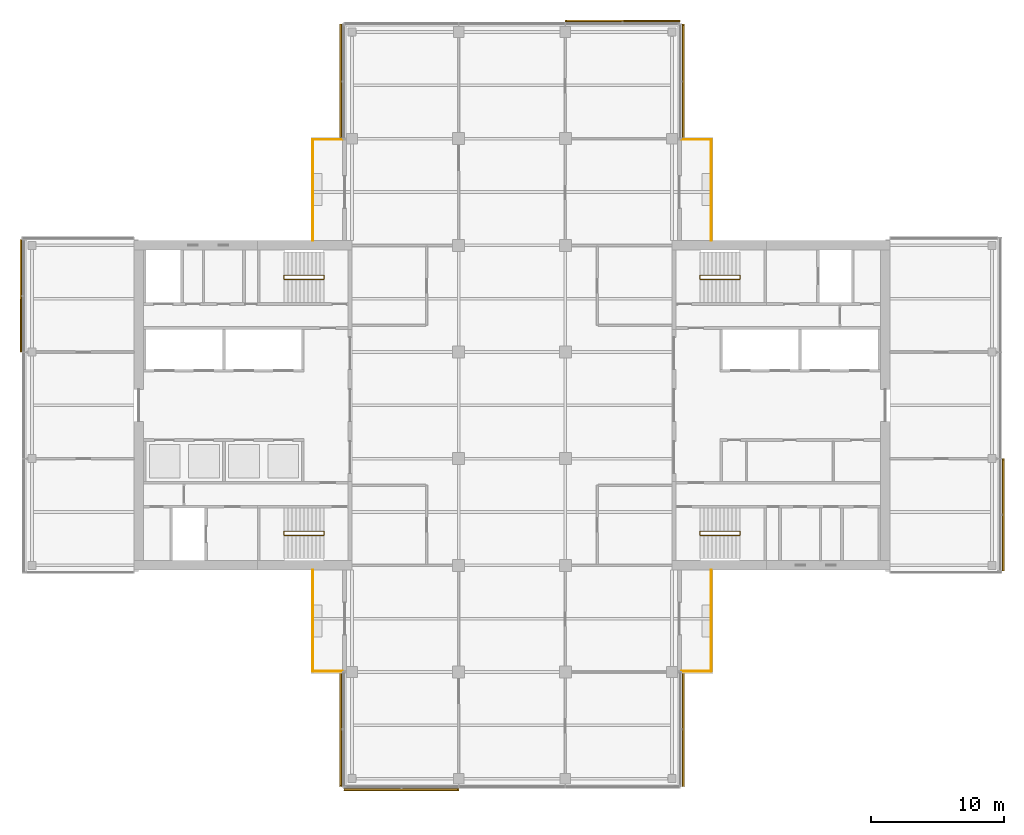
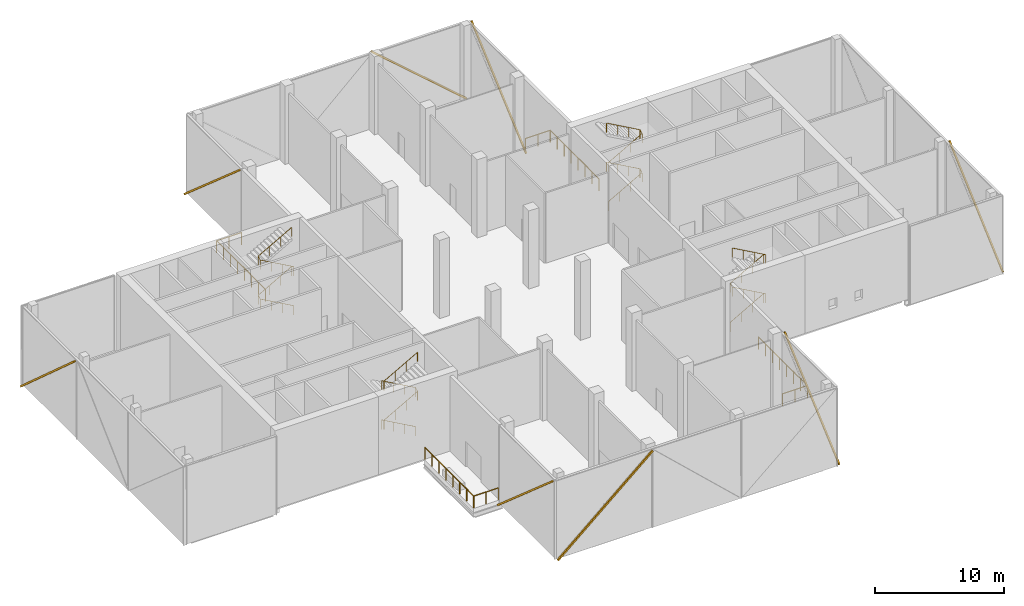
# One storey, part 19 of 20: 8 railings, 8 shading devices, 8 elements without a shape of their own.
"""IFC4 building model written with IfcOpenShell, lengths in metres."""

from ifc_helpers import new_model, si_unit, direction, frame, origin, origin_2d, place, context, subcontext, project, spatial, rectangle, circle, extrude, material, material_profile, profile_set, type_object, element, aggregate, save


model = new_model("IFC4")

# Units and contexts
model_context = context("Model", 3, precision=1e-05, world=origin(), true_north=direction((0.0, 1.0)))
body_context = subcontext(model_context, "Body", "Model", "MODEL_VIEW")
ifc_project = project(units=[si_unit("LENGTHUNIT", "METRE"), si_unit("AREAUNIT", "SQUARE_METRE"), si_unit("VOLUMEUNIT", "CUBIC_METRE"), si_unit("PLANEANGLEUNIT", "RADIAN"), si_unit("MASSUNIT", "GRAM", prefix="KILO")], contexts=[model_context])

# Site, building, storey
site_placement = place(None, origin())
site = spatial("IfcSite", under=ifc_project, at=site_placement, CompositionType="ELEMENT")
building_placement = place(site_placement, origin())
building = spatial("IfcBuilding", under=site, at=building_placement, Name="Crosswind Convention Tower", CompositionType="ELEMENT")
storey_placement = place(building_placement, frame((0.0, 0.0, 171.5)))
storey = spatial("IfcBuildingStorey", under=building, at=storey_placement, Name="L36", CompositionType="ELEMENT", Elevation=171.5)

# Railings
ifc_material_1 = material(Name="Steel and laminated glass balustrade", Category="steel")
railing_type_1 = type_object("IfcRailingType", Name="BALCONY BALUSTRADE 1150", PredefinedType="BALUSTRADE", material=ifc_material_1)
railing_1_placement = place(storey_placement, frame((139.93994140625, 112.35009765625, 0.0)))
element("IfcRailing", 1, at=railing_1_placement, inside=storey, type_object=railing_type_1, Name="R11 winter garden balustrade L36 N-E.1-1", PredefinedType="BALUSTRADE", context=body_context, shape_type="SweptSolid", body=[
    extrude(circle(Radius=0.02392578125, at=origin_2d()), frame((0.0, 0.0, 1.1259765625), z_axis=(0.0, 1.0, 0.0), x_axis=(-1.0, 0.0, 0.0)), (0.0, 0.0, 1.0), 7.58984375),
    extrude(circle(Radius=0.02392578125, at=origin_2d()), frame((0.0, 7.58984375, 1.1259765625), z_axis=(-1.0, 0.0, 0.0), x_axis=(0.0, -1.0, 0.0)), (0.0, 0.0, 1.0), 2.218994140625),
    extrude(circle(Radius=0.02099609375, at=origin_2d()), origin(), (0.0, 0.0, 1.0), 1.101806640625),
    extrude(circle(Radius=0.02099609375, at=origin_2d()), frame((0.0, 1.084228515625, 0.0)), (0.0, 0.0, 1.0), 1.101806640625),
    extrude(circle(Radius=0.02099609375, at=origin_2d()), frame((0.0, 2.16845703125, 0.0)), (0.0, 0.0, 1.0), 1.101806640625),
    extrude(circle(Radius=0.02099609375, at=origin_2d()), frame((0.0, 3.252685546875, 0.0)), (0.0, 0.0, 1.0), 1.101806640625),
    extrude(circle(Radius=0.02099609375, at=origin_2d()), frame((0.0, 4.337158203125, 0.0)), (0.0, 0.0, 1.0), 1.101806640625),
    extrude(circle(Radius=0.02099609375, at=origin_2d()), frame((0.0, 5.42138671875, 0.0)), (0.0, 0.0, 1.0), 1.101806640625),
    extrude(circle(Radius=0.02099609375, at=origin_2d()), frame((0.0, 6.505615234375, 0.0)), (0.0, 0.0, 1.0), 1.101806640625),
    extrude(circle(Radius=0.02099609375, at=origin_2d()), frame((0.0, 7.58984375, 0.0)), (0.0, 0.0, 1.0), 1.101806640625),
    extrude(circle(Radius=0.02099609375, at=origin_2d()), frame((-1.109375, 7.58984375, 0.0)), (0.0, 0.0, 1.0), 1.101806640625),
    extrude(circle(Radius=0.02099609375, at=origin_2d()), frame((-2.218994140625, 7.58984375, 0.0)), (0.0, 0.0, 1.0), 1.101806640625),
])
railing_2_placement = place(storey_placement, frame((110.06005859375, 112.35009765625, 0.0)))
element("IfcRailing", 2, at=railing_2_placement, inside=storey, type_object=railing_type_1, Name="R11 winter garden balustrade L36 N-W.1-2", PredefinedType="BALUSTRADE", context=body_context, shape_type="SweptSolid", body=[
    extrude(circle(Radius=0.02392578125, at=origin_2d()), frame((0.0, 0.0, 1.1259765625), z_axis=(0.0, 1.0, 0.0), x_axis=(-1.0, 0.0, 0.0)), (0.0, 0.0, 1.0), 7.58984375),
    extrude(circle(Radius=0.02392578125, at=origin_2d()), frame((0.0, 7.58984375, 1.1259765625), z_axis=(1.0, 0.0, 0.0), x_axis=(0.0, 1.0, 0.0)), (0.0, 0.0, 1.0), 2.218994140625),
    extrude(circle(Radius=0.02099609375, at=origin_2d()), origin(), (0.0, 0.0, 1.0), 1.101806640625),
    extrude(circle(Radius=0.02099609375, at=origin_2d()), frame((0.0, 1.084228515625, 0.0)), (0.0, 0.0, 1.0), 1.101806640625),
    extrude(circle(Radius=0.02099609375, at=origin_2d()), frame((0.0, 2.16845703125, 0.0)), (0.0, 0.0, 1.0), 1.101806640625),
    extrude(circle(Radius=0.02099609375, at=origin_2d()), frame((0.0, 3.252685546875, 0.0)), (0.0, 0.0, 1.0), 1.101806640625),
    extrude(circle(Radius=0.02099609375, at=origin_2d()), frame((0.0, 4.337158203125, 0.0)), (0.0, 0.0, 1.0), 1.101806640625),
    extrude(circle(Radius=0.02099609375, at=origin_2d()), frame((0.0, 5.42138671875, 0.0)), (0.0, 0.0, 1.0), 1.101806640625),
    extrude(circle(Radius=0.02099609375, at=origin_2d()), frame((0.0, 6.505615234375, 0.0)), (0.0, 0.0, 1.0), 1.101806640625),
    extrude(circle(Radius=0.02099609375, at=origin_2d()), frame((0.0, 7.58984375, 0.0)), (0.0, 0.0, 1.0), 1.101806640625),
    extrude(circle(Radius=0.02099609375, at=origin_2d()), frame((1.109375, 7.58984375, 0.0)), (0.0, 0.0, 1.0), 1.101806640625),
    extrude(circle(Radius=0.02099609375, at=origin_2d()), frame((2.218994140625, 7.58984375, 0.0)), (0.0, 0.0, 1.0), 1.101806640625),
])
railing_3_placement = place(storey_placement, frame((110.06005859375, 87.64990234375, 0.0)))
element("IfcRailing", 3, at=railing_3_placement, inside=storey, type_object=railing_type_1, Name="R11 winter garden balustrade L36 S-W.1-1", PredefinedType="BALUSTRADE", context=body_context, shape_type="SweptSolid", body=[
    extrude(circle(Radius=0.02392578125, at=origin_2d()), frame((0.0, 0.0, 1.1259765625), z_axis=(0.0, -1.0, 0.0), x_axis=(1.0, 0.0, 0.0)), (0.0, 0.0, 1.0), 7.58984375),
    extrude(circle(Radius=0.02392578125, at=origin_2d()), frame((0.0, -7.58984375, 1.1259765625), z_axis=(1.0, 0.0, 0.0), x_axis=(0.0, 1.0, 0.0)), (0.0, 0.0, 1.0), 2.218994140625),
    extrude(circle(Radius=0.02099609375, at=origin_2d()), origin(), (0.0, 0.0, 1.0), 1.101806640625),
    extrude(circle(Radius=0.02099609375, at=origin_2d()), frame((0.0, -1.084228515625, 0.0)), (0.0, 0.0, 1.0), 1.101806640625),
    extrude(circle(Radius=0.02099609375, at=origin_2d()), frame((0.0, -2.16845703125, 0.0)), (0.0, 0.0, 1.0), 1.101806640625),
    extrude(circle(Radius=0.02099609375, at=origin_2d()), frame((0.0, -3.252685546875, 0.0)), (0.0, 0.0, 1.0), 1.101806640625),
    extrude(circle(Radius=0.02099609375, at=origin_2d()), frame((0.0, -4.337158203125, 0.0)), (0.0, 0.0, 1.0), 1.101806640625),
    extrude(circle(Radius=0.02099609375, at=origin_2d()), frame((0.0, -5.42138671875, 0.0)), (0.0, 0.0, 1.0), 1.101806640625),
    extrude(circle(Radius=0.02099609375, at=origin_2d()), frame((0.0, -6.505615234375, 0.0)), (0.0, 0.0, 1.0), 1.101806640625),
    extrude(circle(Radius=0.02099609375, at=origin_2d()), frame((0.0, -7.58984375, 0.0)), (0.0, 0.0, 1.0), 1.101806640625),
    extrude(circle(Radius=0.02099609375, at=origin_2d()), frame((1.109375, -7.58984375, 0.0)), (0.0, 0.0, 1.0), 1.101806640625),
    extrude(circle(Radius=0.02099609375, at=origin_2d()), frame((2.218994140625, -7.58984375, 0.0)), (0.0, 0.0, 1.0), 1.101806640625),
])
railing_4_placement = place(storey_placement, frame((139.93994140625, 87.64990234375, 0.0)))
element("IfcRailing", 4, at=railing_4_placement, inside=storey, type_object=railing_type_1, Name="R11 winter garden balustrade L36 S-E.1-2", PredefinedType="BALUSTRADE", context=body_context, shape_type="SweptSolid", body=[
    extrude(circle(Radius=0.02392578125, at=origin_2d()), frame((0.0, 0.0, 1.1259765625), z_axis=(0.0, -1.0, 0.0), x_axis=(1.0, 0.0, 0.0)), (0.0, 0.0, 1.0), 7.58984375),
    extrude(circle(Radius=0.02392578125, at=origin_2d()), frame((0.0, -7.58984375, 1.1259765625), z_axis=(-1.0, 0.0, 0.0), x_axis=(0.0, -1.0, 0.0)), (0.0, 0.0, 1.0), 2.218994140625),
    extrude(circle(Radius=0.02099609375, at=origin_2d()), origin(), (0.0, 0.0, 1.0), 1.101806640625),
    extrude(circle(Radius=0.02099609375, at=origin_2d()), frame((0.0, -1.084228515625, 0.0)), (0.0, 0.0, 1.0), 1.101806640625),
    extrude(circle(Radius=0.02099609375, at=origin_2d()), frame((0.0, -2.16845703125, 0.0)), (0.0, 0.0, 1.0), 1.101806640625),
    extrude(circle(Radius=0.02099609375, at=origin_2d()), frame((0.0, -3.252685546875, 0.0)), (0.0, 0.0, 1.0), 1.101806640625),
    extrude(circle(Radius=0.02099609375, at=origin_2d()), frame((0.0, -4.337158203125, 0.0)), (0.0, 0.0, 1.0), 1.101806640625),
    extrude(circle(Radius=0.02099609375, at=origin_2d()), frame((0.0, -5.42138671875, 0.0)), (0.0, 0.0, 1.0), 1.101806640625),
    extrude(circle(Radius=0.02099609375, at=origin_2d()), frame((0.0, -6.505615234375, 0.0)), (0.0, 0.0, 1.0), 1.101806640625),
    extrude(circle(Radius=0.02099609375, at=origin_2d()), frame((0.0, -7.58984375, 0.0)), (0.0, 0.0, 1.0), 1.101806640625),
    extrude(circle(Radius=0.02099609375, at=origin_2d()), frame((-1.109375, -7.58984375, 0.0)), (0.0, 0.0, 1.0), 1.101806640625),
    extrude(circle(Radius=0.02099609375, at=origin_2d()), frame((-2.218994140625, -7.58984375, 0.0)), (0.0, 0.0, 1.0), 1.101806640625),
])
ifc_material_2 = material(Name="Stainless steel", Category="steel")
railing_type_2 = type_object("IfcRailingType", Name="Stair handrail 900", PredefinedType="HANDRAIL", material=ifc_material_2)
railing_5_placement = place(storey_placement, frame((139.10009765625, 109.43994140625, 0.168212890625)))
element("IfcRailing", 5, at=railing_5_placement, inside=storey, type_object=railing_type_2, Name="Stair ST1 handrail L36", PredefinedType="HANDRAIL", context=body_context, shape_type="SweptSolid", body=[
    extrude(circle(Radius=0.02392578125, at=origin_2d()), frame((0.0, 0.0, 0.8759765625), z_axis=(0.872272294576, 0.0, 0.489020494575), x_axis=(0.0, 1.0, 0.0)), (0.0, 0.0, 1.0), 3.439208984375),
    extrude(circle(Radius=0.02392578125, at=origin_2d()), frame((3.0, 0.0, 2.5576171875), z_axis=(0.0, 0.885474334664, 0.464688285468), x_axis=(-1.0, 0.0, 0.0)), (0.0, 0.0, 1.0), 0.361572265625),
    extrude(circle(Radius=0.02392578125, at=origin_2d()), frame((3.0, 0.320068359375, 2.7255859375), z_axis=(-0.872272294576, 0.0, 0.489020494575), x_axis=(0.0, -1.0, 0.0)), (0.0, 0.0, 1.0), 3.439208984375),
    extrude(circle(Radius=0.02392578125, at=origin_2d()), frame((0.0, 0.320068359375, 4.40771484375), z_axis=(0.0, -0.885196349292, 0.465217608438), x_axis=(1.0, 0.0, 0.0)), (0.0, 0.0, 1.0), 0.361572265625),
    extrude(circle(Radius=0.02392578125, at=origin_2d()), frame((0.0, 0.0, 4.57568359375), z_axis=(0.872272294576, 0.0, 0.489020494575), x_axis=(0.0, 1.0, 0.0)), (0.0, 0.0, 1.0), 3.439208984375),
    extrude(circle(Radius=0.02392578125, at=origin_2d()), frame((3.0, 0.0, 6.2578125), z_axis=(0.0, 0.885196349292, 0.465217608438), x_axis=(-1.0, 0.0, 0.0)), (0.0, 0.0, 1.0), 0.361572265625),
    extrude(circle(Radius=0.02392578125, at=origin_2d()), frame((3.0, 0.320068359375, 6.42578125), z_axis=(-0.872302573547, 0.0, 0.488966481656), x_axis=(0.0, -1.0, 0.0)), (0.0, 0.0, 1.0), 3.439208984375),
    extrude(circle(Radius=0.02099609375, at=origin_2d()), origin(), (0.0, 0.0, 1.0), 0.851806640625),
    extrude(circle(Radius=0.02099609375, at=origin_2d()), frame((1.0, 0.0, 0.560546875)), (0.0, 0.0, 1.0), 0.851806640625),
    extrude(circle(Radius=0.02099609375, at=origin_2d()), frame((2.0, 0.0, 1.121337890625)), (0.0, 0.0, 1.0), 0.851806640625),
    extrude(circle(Radius=0.02099609375, at=origin_2d()), frame((3.0, 0.0, 1.681884765625)), (0.0, 0.0, 1.0), 0.851806640625),
    extrude(circle(Radius=0.02099609375, at=origin_2d()), frame((3.0, 0.320068359375, 1.849853515625)), (0.0, 0.0, 1.0), 0.851806640625),
    extrude(circle(Radius=0.02099609375, at=origin_2d()), frame((2.0, 0.320068359375, 2.410400390625)), (0.0, 0.0, 1.0), 0.851806640625),
    extrude(circle(Radius=0.02099609375, at=origin_2d()), frame((1.0, 0.320068359375, 2.97119140625)), (0.0, 0.0, 1.0), 0.851806640625),
    extrude(circle(Radius=0.02099609375, at=origin_2d()), frame((0.0, 0.320068359375, 3.53173828125)), (0.0, 0.0, 1.0), 0.851806640625),
    extrude(circle(Radius=0.02099609375, at=origin_2d()), frame((0.0, 0.0, 3.699951171875)), (0.0, 0.0, 1.0), 0.851806640625),
    extrude(circle(Radius=0.02099609375, at=origin_2d()), frame((1.0, 0.0, 4.260498046875)), (0.0, 0.0, 1.0), 0.851806640625),
    extrude(circle(Radius=0.02099609375, at=origin_2d()), frame((2.0, 0.0, 4.8212890625)), (0.0, 0.0, 1.0), 0.851806640625),
    extrude(circle(Radius=0.02099609375, at=origin_2d()), frame((3.0, 0.0, 5.3818359375)), (0.0, 0.0, 1.0), 0.851806640625),
    extrude(circle(Radius=0.02099609375, at=origin_2d()), frame((3.0, 0.320068359375, 5.550048828125)), (0.0, 0.0, 1.0), 0.851806640625),
    extrude(circle(Radius=0.02099609375, at=origin_2d()), frame((2.0, 0.320068359375, 6.110595703125)), (0.0, 0.0, 1.0), 0.851806640625),
    extrude(circle(Radius=0.02099609375, at=origin_2d()), frame((1.0, 0.320068359375, 6.671142578125)), (0.0, 0.0, 1.0), 0.851806640625),
    extrude(circle(Radius=0.02099609375, at=origin_2d()), frame((0.0, 0.320068359375, 7.231689453125)), (0.0, 0.0, 1.0), 0.851806640625),
])
railing_6_placement = place(storey_placement, frame((139.10009765625, 90.56005859375, 0.168212890625)))
element("IfcRailing", 6, at=railing_6_placement, inside=storey, type_object=railing_type_2, Name="Stair ST2 handrail L36", PredefinedType="HANDRAIL", context=body_context, shape_type="SweptSolid", body=[
    extrude(circle(Radius=0.02392578125, at=origin_2d()), frame((0.0, 0.0, 0.8759765625), z_axis=(0.872272294576, 0.0, 0.489020494575), x_axis=(0.0, 1.0, 0.0)), (0.0, 0.0, 1.0), 3.439208984375),
    extrude(circle(Radius=0.02392578125, at=origin_2d()), frame((3.0, 0.0, 2.5576171875), z_axis=(0.0, -0.885474334664, 0.464688285468), x_axis=(1.0, 0.0, 0.0)), (0.0, 0.0, 1.0), 0.361572265625),
    extrude(circle(Radius=0.02392578125, at=origin_2d()), frame((3.0, -0.320068359375, 2.7255859375), z_axis=(-0.872272294576, 0.0, 0.489020494575), x_axis=(0.0, -1.0, 0.0)), (0.0, 0.0, 1.0), 3.439208984375),
    extrude(circle(Radius=0.02392578125, at=origin_2d()), frame((0.0, -0.320068359375, 4.40771484375), z_axis=(0.0, 0.885196349292, 0.465217608438), x_axis=(-1.0, 0.0, 0.0)), (0.0, 0.0, 1.0), 0.361572265625),
    extrude(circle(Radius=0.02392578125, at=origin_2d()), frame((0.0, 0.0, 4.57568359375), z_axis=(0.872272294576, 0.0, 0.489020494575), x_axis=(0.0, 1.0, 0.0)), (0.0, 0.0, 1.0), 3.439208984375),
    extrude(circle(Radius=0.02392578125, at=origin_2d()), frame((3.0, 0.0, 6.2578125), z_axis=(0.0, -0.885196349292, 0.465217608438), x_axis=(1.0, 0.0, 0.0)), (0.0, 0.0, 1.0), 0.361572265625),
    extrude(circle(Radius=0.02392578125, at=origin_2d()), frame((3.0, -0.320068359375, 6.42578125), z_axis=(-0.872302573547, 0.0, 0.488966481656), x_axis=(0.0, -1.0, 0.0)), (0.0, 0.0, 1.0), 3.439208984375),
    extrude(circle(Radius=0.02099609375, at=origin_2d()), origin(), (0.0, 0.0, 1.0), 0.851806640625),
    extrude(circle(Radius=0.02099609375, at=origin_2d()), frame((1.0, 0.0, 0.560546875)), (0.0, 0.0, 1.0), 0.851806640625),
    extrude(circle(Radius=0.02099609375, at=origin_2d()), frame((2.0, 0.0, 1.121337890625)), (0.0, 0.0, 1.0), 0.851806640625),
    extrude(circle(Radius=0.02099609375, at=origin_2d()), frame((3.0, 0.0, 1.681884765625)), (0.0, 0.0, 1.0), 0.851806640625),
    extrude(circle(Radius=0.02099609375, at=origin_2d()), frame((3.0, -0.320068359375, 1.849853515625)), (0.0, 0.0, 1.0), 0.851806640625),
    extrude(circle(Radius=0.02099609375, at=origin_2d()), frame((2.0, -0.320068359375, 2.410400390625)), (0.0, 0.0, 1.0), 0.851806640625),
    extrude(circle(Radius=0.02099609375, at=origin_2d()), frame((1.0, -0.320068359375, 2.97119140625)), (0.0, 0.0, 1.0), 0.851806640625),
    extrude(circle(Radius=0.02099609375, at=origin_2d()), frame((0.0, -0.320068359375, 3.53173828125)), (0.0, 0.0, 1.0), 0.851806640625),
    extrude(circle(Radius=0.02099609375, at=origin_2d()), frame((0.0, 0.0, 3.699951171875)), (0.0, 0.0, 1.0), 0.851806640625),
    extrude(circle(Radius=0.02099609375, at=origin_2d()), frame((1.0, 0.0, 4.260498046875)), (0.0, 0.0, 1.0), 0.851806640625),
    extrude(circle(Radius=0.02099609375, at=origin_2d()), frame((2.0, 0.0, 4.8212890625)), (0.0, 0.0, 1.0), 0.851806640625),
    extrude(circle(Radius=0.02099609375, at=origin_2d()), frame((3.0, 0.0, 5.3818359375)), (0.0, 0.0, 1.0), 0.851806640625),
    extrude(circle(Radius=0.02099609375, at=origin_2d()), frame((3.0, -0.320068359375, 5.550048828125)), (0.0, 0.0, 1.0), 0.851806640625),
    extrude(circle(Radius=0.02099609375, at=origin_2d()), frame((2.0, -0.320068359375, 6.110595703125)), (0.0, 0.0, 1.0), 0.851806640625),
    extrude(circle(Radius=0.02099609375, at=origin_2d()), frame((1.0, -0.320068359375, 6.671142578125)), (0.0, 0.0, 1.0), 0.851806640625),
    extrude(circle(Radius=0.02099609375, at=origin_2d()), frame((0.0, -0.320068359375, 7.231689453125)), (0.0, 0.0, 1.0), 0.851806640625),
])
railing_7_placement = place(storey_placement, frame((110.89990234375, 90.56005859375, 0.168212890625)))
element("IfcRailing", 7, at=railing_7_placement, inside=storey, type_object=railing_type_2, Name="Stair ST3 handrail L36", PredefinedType="HANDRAIL", context=body_context, shape_type="SweptSolid", body=[
    extrude(circle(Radius=0.02392578125, at=origin_2d()), frame((0.0, 0.0, 0.8759765625), z_axis=(-0.872272294576, 0.0, 0.489020494575), x_axis=(0.0, -1.0, 0.0)), (0.0, 0.0, 1.0), 3.439208984375),
    extrude(circle(Radius=0.02392578125, at=origin_2d()), frame((-3.0, 0.0, 2.5576171875), z_axis=(0.0, -0.885474334664, 0.464688285468), x_axis=(1.0, 0.0, 0.0)), (0.0, 0.0, 1.0), 0.361572265625),
    extrude(circle(Radius=0.02392578125, at=origin_2d()), frame((-3.0, -0.320068359375, 2.7255859375), z_axis=(0.872272294576, 0.0, 0.489020494575), x_axis=(0.0, 1.0, 0.0)), (0.0, 0.0, 1.0), 3.439208984375),
    extrude(circle(Radius=0.02392578125, at=origin_2d()), frame((0.0, -0.320068359375, 4.40771484375), z_axis=(0.0, 0.885196349292, 0.465217608438), x_axis=(-1.0, 0.0, 0.0)), (0.0, 0.0, 1.0), 0.361572265625),
    extrude(circle(Radius=0.02392578125, at=origin_2d()), frame((0.0, 0.0, 4.57568359375), z_axis=(-0.872272294576, 0.0, 0.489020494575), x_axis=(0.0, -1.0, 0.0)), (0.0, 0.0, 1.0), 3.439208984375),
    extrude(circle(Radius=0.02392578125, at=origin_2d()), frame((-3.0, 0.0, 6.2578125), z_axis=(0.0, -0.885196349292, 0.465217608438), x_axis=(1.0, 0.0, 0.0)), (0.0, 0.0, 1.0), 0.361572265625),
    extrude(circle(Radius=0.02392578125, at=origin_2d()), frame((-3.0, -0.320068359375, 6.42578125), z_axis=(0.872302573547, 0.0, 0.488966481656), x_axis=(0.0, 1.0, 0.0)), (0.0, 0.0, 1.0), 3.439208984375),
    extrude(circle(Radius=0.02099609375, at=origin_2d()), origin(), (0.0, 0.0, 1.0), 0.851806640625),
    extrude(circle(Radius=0.02099609375, at=origin_2d()), frame((-1.0, 0.0, 0.560546875)), (0.0, 0.0, 1.0), 0.851806640625),
    extrude(circle(Radius=0.02099609375, at=origin_2d()), frame((-2.0, 0.0, 1.121337890625)), (0.0, 0.0, 1.0), 0.851806640625),
    extrude(circle(Radius=0.02099609375, at=origin_2d()), frame((-3.0, 0.0, 1.681884765625)), (0.0, 0.0, 1.0), 0.851806640625),
    extrude(circle(Radius=0.02099609375, at=origin_2d()), frame((-3.0, -0.320068359375, 1.849853515625)), (0.0, 0.0, 1.0), 0.851806640625),
    extrude(circle(Radius=0.02099609375, at=origin_2d()), frame((-2.0, -0.320068359375, 2.410400390625)), (0.0, 0.0, 1.0), 0.851806640625),
    extrude(circle(Radius=0.02099609375, at=origin_2d()), frame((-1.0, -0.320068359375, 2.97119140625)), (0.0, 0.0, 1.0), 0.851806640625),
    extrude(circle(Radius=0.02099609375, at=origin_2d()), frame((0.0, -0.320068359375, 3.53173828125)), (0.0, 0.0, 1.0), 0.851806640625),
    extrude(circle(Radius=0.02099609375, at=origin_2d()), frame((0.0, 0.0, 3.699951171875)), (0.0, 0.0, 1.0), 0.851806640625),
    extrude(circle(Radius=0.02099609375, at=origin_2d()), frame((-1.0, 0.0, 4.260498046875)), (0.0, 0.0, 1.0), 0.851806640625),
    extrude(circle(Radius=0.02099609375, at=origin_2d()), frame((-2.0, 0.0, 4.8212890625)), (0.0, 0.0, 1.0), 0.851806640625),
    extrude(circle(Radius=0.02099609375, at=origin_2d()), frame((-3.0, 0.0, 5.3818359375)), (0.0, 0.0, 1.0), 0.851806640625),
    extrude(circle(Radius=0.02099609375, at=origin_2d()), frame((-3.0, -0.320068359375, 5.550048828125)), (0.0, 0.0, 1.0), 0.851806640625),
    extrude(circle(Radius=0.02099609375, at=origin_2d()), frame((-2.0, -0.320068359375, 6.110595703125)), (0.0, 0.0, 1.0), 0.851806640625),
    extrude(circle(Radius=0.02099609375, at=origin_2d()), frame((-1.0, -0.320068359375, 6.671142578125)), (0.0, 0.0, 1.0), 0.851806640625),
    extrude(circle(Radius=0.02099609375, at=origin_2d()), frame((0.0, -0.320068359375, 7.231689453125)), (0.0, 0.0, 1.0), 0.851806640625),
])
railing_8_placement = place(storey_placement, frame((110.89990234375, 109.43994140625, 0.168212890625)))
element("IfcRailing", 8, at=railing_8_placement, inside=storey, type_object=railing_type_2, Name="Stair ST4 handrail L36", PredefinedType="HANDRAIL", context=body_context, shape_type="SweptSolid", body=[
    extrude(circle(Radius=0.02392578125, at=origin_2d()), frame((0.0, 0.0, 0.8759765625), z_axis=(-0.872272294576, 0.0, 0.489020494575), x_axis=(0.0, -1.0, 0.0)), (0.0, 0.0, 1.0), 3.439208984375),
    extrude(circle(Radius=0.02392578125, at=origin_2d()), frame((-3.0, 0.0, 2.5576171875), z_axis=(0.0, 0.885474334664, 0.464688285468), x_axis=(-1.0, 0.0, 0.0)), (0.0, 0.0, 1.0), 0.361572265625),
    extrude(circle(Radius=0.02392578125, at=origin_2d()), frame((-3.0, 0.320068359375, 2.7255859375), z_axis=(0.872272294576, 0.0, 0.489020494575), x_axis=(0.0, 1.0, 0.0)), (0.0, 0.0, 1.0), 3.439208984375),
    extrude(circle(Radius=0.02392578125, at=origin_2d()), frame((0.0, 0.320068359375, 4.40771484375), z_axis=(0.0, -0.885196349292, 0.465217608438), x_axis=(1.0, 0.0, 0.0)), (0.0, 0.0, 1.0), 0.361572265625),
    extrude(circle(Radius=0.02392578125, at=origin_2d()), frame((0.0, 0.0, 4.57568359375), z_axis=(-0.872272294576, 0.0, 0.489020494575), x_axis=(0.0, -1.0, 0.0)), (0.0, 0.0, 1.0), 3.439208984375),
    extrude(circle(Radius=0.02392578125, at=origin_2d()), frame((-3.0, 0.0, 6.2578125), z_axis=(0.0, 0.885196349292, 0.465217608438), x_axis=(-1.0, 0.0, 0.0)), (0.0, 0.0, 1.0), 0.361572265625),
    extrude(circle(Radius=0.02392578125, at=origin_2d()), frame((-3.0, 0.320068359375, 6.42578125), z_axis=(0.872302573547, 0.0, 0.488966481656), x_axis=(0.0, 1.0, 0.0)), (0.0, 0.0, 1.0), 3.439208984375),
    extrude(circle(Radius=0.02099609375, at=origin_2d()), origin(), (0.0, 0.0, 1.0), 0.851806640625),
    extrude(circle(Radius=0.02099609375, at=origin_2d()), frame((-1.0, 0.0, 0.560546875)), (0.0, 0.0, 1.0), 0.851806640625),
    extrude(circle(Radius=0.02099609375, at=origin_2d()), frame((-2.0, 0.0, 1.121337890625)), (0.0, 0.0, 1.0), 0.851806640625),
    extrude(circle(Radius=0.02099609375, at=origin_2d()), frame((-3.0, 0.0, 1.681884765625)), (0.0, 0.0, 1.0), 0.851806640625),
    extrude(circle(Radius=0.02099609375, at=origin_2d()), frame((-3.0, 0.320068359375, 1.849853515625)), (0.0, 0.0, 1.0), 0.851806640625),
    extrude(circle(Radius=0.02099609375, at=origin_2d()), frame((-2.0, 0.320068359375, 2.410400390625)), (0.0, 0.0, 1.0), 0.851806640625),
    extrude(circle(Radius=0.02099609375, at=origin_2d()), frame((-1.0, 0.320068359375, 2.97119140625)), (0.0, 0.0, 1.0), 0.851806640625),
    extrude(circle(Radius=0.02099609375, at=origin_2d()), frame((0.0, 0.320068359375, 3.53173828125)), (0.0, 0.0, 1.0), 0.851806640625),
    extrude(circle(Radius=0.02099609375, at=origin_2d()), frame((0.0, 0.0, 3.699951171875)), (0.0, 0.0, 1.0), 0.851806640625),
    extrude(circle(Radius=0.02099609375, at=origin_2d()), frame((-1.0, 0.0, 4.260498046875)), (0.0, 0.0, 1.0), 0.851806640625),
    extrude(circle(Radius=0.02099609375, at=origin_2d()), frame((-2.0, 0.0, 4.8212890625)), (0.0, 0.0, 1.0), 0.851806640625),
    extrude(circle(Radius=0.02099609375, at=origin_2d()), frame((-3.0, 0.0, 5.3818359375)), (0.0, 0.0, 1.0), 0.851806640625),
    extrude(circle(Radius=0.02099609375, at=origin_2d()), frame((-3.0, 0.320068359375, 5.550048828125)), (0.0, 0.0, 1.0), 0.851806640625),
    extrude(circle(Radius=0.02099609375, at=origin_2d()), frame((-2.0, 0.320068359375, 6.110595703125)), (0.0, 0.0, 1.0), 0.851806640625),
    extrude(circle(Radius=0.02099609375, at=origin_2d()), frame((-1.0, 0.320068359375, 6.671142578125)), (0.0, 0.0, 1.0), 0.851806640625),
    extrude(circle(Radius=0.02099609375, at=origin_2d()), frame((0.0, 0.320068359375, 7.231689453125)), (0.0, 0.0, 1.0), 0.851806640625),
])

# Curtain wall, shading device
ifc_material_3 = material(Name="Aluminium unitised curtain wall", Category="aluminium")
curtain_wall_type = type_object("IfcCurtainWallType", Name="SKY LOBBY AND LOUNGE WALL 280", PredefinedType="USERDEFINED", material=ifc_material_3)
curtain_wall_1_placement = place(storey_placement, origin())
curtain_wall_1 = element("IfcCurtainWall", 9, at=curtain_wall_1_placement, inside=storey, type_object=curtain_wall_type, Name="CW4 L36 E-TIP 1", ObjectType="UNITISED", PredefinedType="USERDEFINED")
ifc_material_4 = material(Name="Extruded terracotta", Category="masonry")
ifc_material_profile = material_profile(ifc_material_4, rectangle(XDim=0.1298828125, YDim=0.14990234375, at=origin_2d()), Name="TC 130X150")
ifc_profile_set = profile_set([ifc_material_profile], Name="Extruded terracotta")
shading_device_type = type_object("IfcShadingDeviceType", Name="TERRACOTTA BAGUETTE 150X130", PredefinedType="USERDEFINED", material=ifc_profile_set)
shading_device_1_placement = place(storey_placement, frame((161.8369140625, 87.625, -0.39990234375), z_axis=(0.0, 0.746796090175, 0.665053080363), x_axis=(-1.0, 0.0, 0.0)))
shading_device_1 = element("IfcShadingDevice", 10, at=shading_device_1_placement, type_object=shading_device_type, Name="CW4 terracotta baguette 1", ObjectType="BAGUETTE", PredefinedType="USERDEFINED", context=body_context, shape_type="SweptSolid", body=[
    extrude(rectangle(XDim=0.1298828125, YDim=0.14990234375, at=origin_2d()), origin(), (0.0, 0.0, 1.0), 11.164306640625),
])
aggregate(curtain_wall_1, [shading_device_1])

curtain_wall_2_placement = place(storey_placement, origin())
curtain_wall_2 = element("IfcCurtainWall", 11, at=curtain_wall_2_placement, inside=storey, type_object=curtain_wall_type, Name="CW4 L36 N-E 1", ObjectType="UNITISED", PredefinedType="USERDEFINED")
shading_device_2_placement = place(storey_placement, frame((137.8369140625, 120.03759765625, -0.39990234375), z_axis=(0.0, 0.753704108705, 0.657213904692), x_axis=(-1.0, 0.0, 0.0)))
shading_device_2 = element("IfcShadingDevice", 12, at=shading_device_2_placement, type_object=shading_device_type, Name="CW4 terracotta baguette 1", ObjectType="BAGUETTE", PredefinedType="USERDEFINED", context=body_context, shape_type="SweptSolid", body=[
    extrude(rectangle(XDim=0.1298828125, YDim=0.14990234375, at=origin_2d()), origin(), (0.0, 0.0, 1.0), 11.29736328125),
])
aggregate(curtain_wall_2, [shading_device_2])

curtain_wall_3_placement = place(storey_placement, origin())
curtain_wall_3 = element("IfcCurtainWall", 13, at=curtain_wall_3_placement, inside=storey, type_object=curtain_wall_type, Name="CW4 L36 N-TIP 1", ObjectType="UNITISED", PredefinedType="USERDEFINED")
shading_device_3_placement = place(storey_placement, frame((137.552490234375, 128.8369140625, -0.39990234375), z_axis=(-0.753704108705, 0.0, 0.657213904692), x_axis=(0.0, -1.0, 0.0)))
shading_device_3 = element("IfcShadingDevice", 14, at=shading_device_3_placement, type_object=shading_device_type, Name="CW4 terracotta baguette 1", ObjectType="BAGUETTE", PredefinedType="USERDEFINED", context=body_context, shape_type="SweptSolid", body=[
    extrude(rectangle(XDim=0.1298828125, YDim=0.14990234375, at=origin_2d()), origin(), (0.0, 0.0, 1.0), 11.29736328125),
])
aggregate(curtain_wall_3, [shading_device_3])

curtain_wall_4_placement = place(storey_placement, origin())
curtain_wall_4 = element("IfcCurtainWall", 15, at=curtain_wall_4_placement, inside=storey, type_object=curtain_wall_type, Name="CW4 L36 N-W 1", ObjectType="UNITISED", PredefinedType="USERDEFINED")
shading_device_4_placement = place(storey_placement, frame((112.1630859375, 128.552490234375, -0.39990234375), z_axis=(0.0, -0.753704108705, 0.657213904692), x_axis=(1.0, 0.0, 0.0)))
shading_device_4 = element("IfcShadingDevice", 16, at=shading_device_4_placement, type_object=shading_device_type, Name="CW4 terracotta baguette 1", ObjectType="BAGUETTE", PredefinedType="USERDEFINED", context=body_context, shape_type="SweptSolid", body=[
    extrude(rectangle(XDim=0.1298828125, YDim=0.14990234375, at=origin_2d()), origin(), (0.0, 0.0, 1.0), 11.29736328125),
])
aggregate(curtain_wall_4, [shading_device_4])

curtain_wall_5_placement = place(storey_placement, origin())
curtain_wall_5 = element("IfcCurtainWall", 17, at=curtain_wall_5_placement, inside=storey, type_object=curtain_wall_type, Name="CW4 L36 W-TIP 1", ObjectType="UNITISED", PredefinedType="USERDEFINED")
shading_device_5_placement = place(storey_placement, frame((88.1630859375, 112.375, -0.39990234375), z_axis=(0.0, -0.746796090175, 0.665053080363), x_axis=(1.0, 0.0, 0.0)))
shading_device_5 = element("IfcShadingDevice", 18, at=shading_device_5_placement, type_object=shading_device_type, Name="CW4 terracotta baguette 1", ObjectType="BAGUETTE", PredefinedType="USERDEFINED", context=body_context, shape_type="SweptSolid", body=[
    extrude(rectangle(XDim=0.1298828125, YDim=0.14990234375, at=origin_2d()), origin(), (0.0, 0.0, 1.0), 11.164306640625),
])
aggregate(curtain_wall_5, [shading_device_5])

curtain_wall_6_placement = place(storey_placement, origin())
curtain_wall_6 = element("IfcCurtainWall", 19, at=curtain_wall_6_placement, inside=storey, type_object=curtain_wall_type, Name="CW4 L36 S-W 1", ObjectType="UNITISED", PredefinedType="USERDEFINED")
shading_device_6_placement = place(storey_placement, frame((112.1630859375, 79.96240234375, -0.39990234375), z_axis=(0.0, -0.753704108705, 0.657213904692), x_axis=(1.0, 0.0, 0.0)))
shading_device_6 = element("IfcShadingDevice", 20, at=shading_device_6_placement, type_object=shading_device_type, Name="CW4 terracotta baguette 1", ObjectType="BAGUETTE", PredefinedType="USERDEFINED", context=body_context, shape_type="SweptSolid", body=[
    extrude(rectangle(XDim=0.1298828125, YDim=0.14990234375, at=origin_2d()), origin(), (0.0, 0.0, 1.0), 11.29736328125),
])
aggregate(curtain_wall_6, [shading_device_6])

curtain_wall_7_placement = place(storey_placement, origin())
curtain_wall_7 = element("IfcCurtainWall", 21, at=curtain_wall_7_placement, inside=storey, type_object=curtain_wall_type, Name="CW4 L36 S-TIP 1", ObjectType="UNITISED", PredefinedType="USERDEFINED")
shading_device_7_placement = place(storey_placement, frame((112.447509765625, 71.1630859375, -0.39990234375), z_axis=(0.753704108705, 0.0, 0.657213904692), x_axis=(0.0, 1.0, 0.0)))
shading_device_7 = element("IfcShadingDevice", 22, at=shading_device_7_placement, type_object=shading_device_type, Name="CW4 terracotta baguette 1", ObjectType="BAGUETTE", PredefinedType="USERDEFINED", context=body_context, shape_type="SweptSolid", body=[
    extrude(rectangle(XDim=0.1298828125, YDim=0.14990234375, at=origin_2d()), origin(), (0.0, 0.0, 1.0), 11.29736328125),
])
aggregate(curtain_wall_7, [shading_device_7])

curtain_wall_8_placement = place(storey_placement, origin())
curtain_wall_8 = element("IfcCurtainWall", 23, at=curtain_wall_8_placement, inside=storey, type_object=curtain_wall_type, Name="CW4 L36 S-E 1", ObjectType="UNITISED", PredefinedType="USERDEFINED")
shading_device_8_placement = place(storey_placement, frame((137.8369140625, 71.447509765625, -0.39990234375), z_axis=(0.0, 0.753704108705, 0.657213904692), x_axis=(-1.0, 0.0, 0.0)))
shading_device_8 = element("IfcShadingDevice", 24, at=shading_device_8_placement, type_object=shading_device_type, Name="CW4 terracotta baguette 1", ObjectType="BAGUETTE", PredefinedType="USERDEFINED", context=body_context, shape_type="SweptSolid", body=[
    extrude(rectangle(XDim=0.1298828125, YDim=0.14990234375, at=origin_2d()), origin(), (0.0, 0.0, 1.0), 11.29736328125),
])
aggregate(curtain_wall_8, [shading_device_8])

save(model, "model.ifc")
